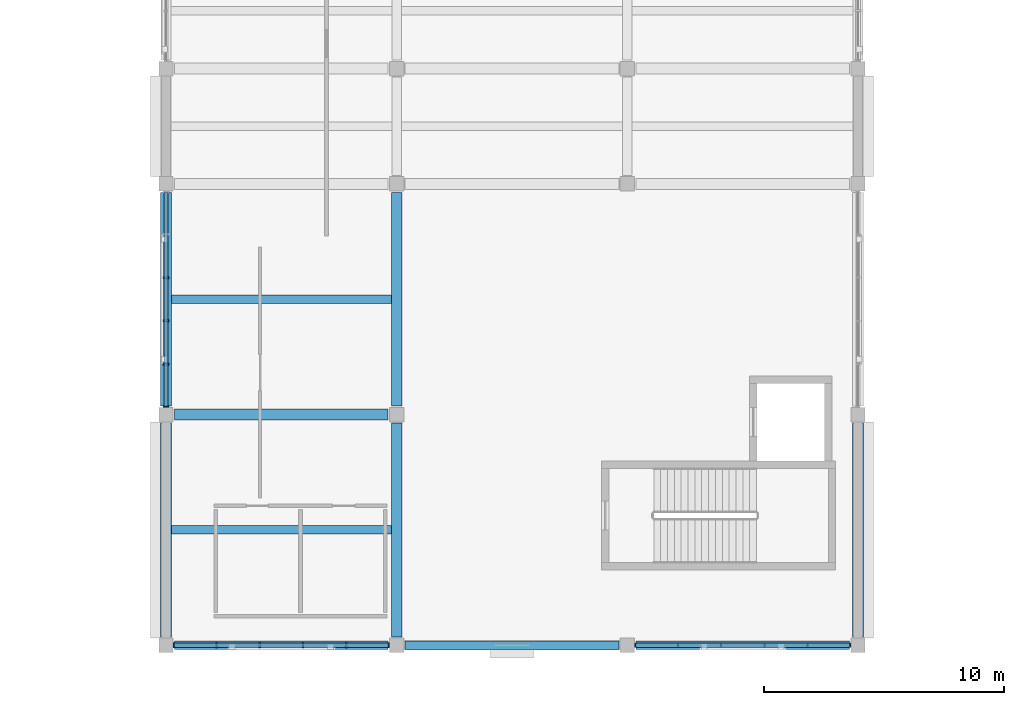
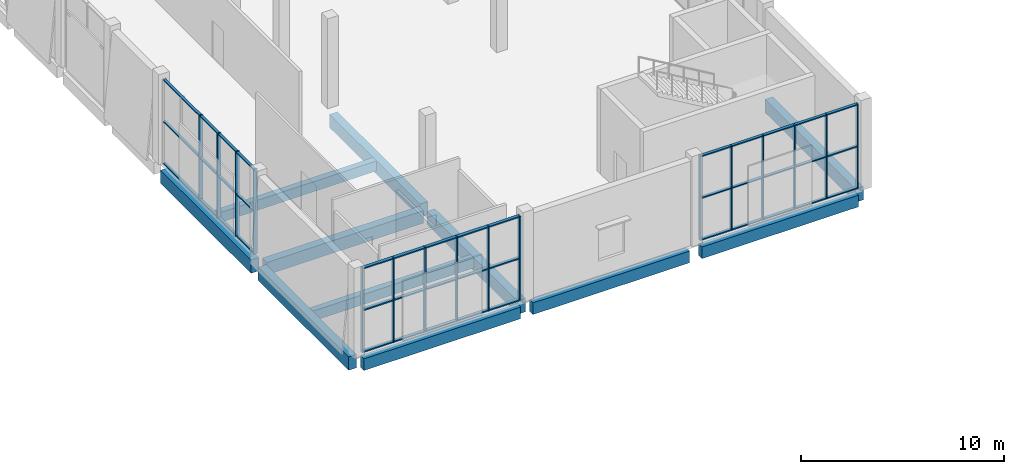
# One storey, part 15 of 83: 25 members, 11 beams, 3 elements without a shape of their own.
"""IFC4 building model written with IfcOpenShell, lengths in metres."""

from ifc_helpers import new_model, si_unit, direction, frame, origin, origin_2d, place, context, subcontext, project, spatial, rectangle, extrude, material, material_profile, profile_set, type_object, element, aggregate, save


model = new_model("IFC4")

# Units and contexts
model_context = context("Model", 3, precision=1e-05, world=origin(), true_north=direction((0.0, 1.0)))
body_context = subcontext(model_context, "Body", "Model", "MODEL_VIEW")
ifc_project = project(units=[si_unit("LENGTHUNIT", "METRE"), si_unit("AREAUNIT", "SQUARE_METRE"), si_unit("VOLUMEUNIT", "CUBIC_METRE"), si_unit("PLANEANGLEUNIT", "RADIAN"), si_unit("MASSUNIT", "GRAM", prefix="KILO")], contexts=[model_context])

# Site, building, storey
site_placement = place(None, origin())
site = spatial("IfcSite", under=ifc_project, at=site_placement, CompositionType="ELEMENT")
building_placement = place(site_placement, origin())
building = spatial("IfcBuilding", under=site, at=building_placement, Name="Shalvenor Court Art Gallery", CompositionType="ELEMENT")
storey_placement = place(building_placement, frame((0.0, 0.0, 6.0)))
storey = spatial("IfcBuildingStorey", under=building, at=storey_placement, Name="L01", CompositionType="ELEMENT", Elevation=6.0)

# Beams
ifc_material_1 = material(Name="Concrete C40/50", Category="concrete")
ifc_material_profile_1 = material_profile(ifc_material_1, rectangle(XDim=0.449951171875, YDim=0.800048828125, at=origin_2d()), Name="RC 450x800")
ifc_profile_set_1 = profile_set([ifc_material_profile_1], Name="Concrete C40/50")
beam_type_1 = type_object("IfcBeamType", Name="B-03", PredefinedType="BEAM", material=ifc_profile_set_1)
beam_1_placement = place(storey_placement, frame((96.0, 0.35009765625, -0.719970703125), z_axis=(0.0, 1.0, 0.0), x_axis=(-1.0, 0.0, 0.0)))
element("IfcBeam", 1, at=beam_1_placement, inside=storey, type_object=beam_type_1, Name="L01 Girder BM-L01-B-03-0422", PredefinedType="BEAM", context=body_context, shape_type="SweptSolid", body=[
    extrude(rectangle(XDim=0.449951171875, YDim=0.800048828125, at=origin_2d()), origin(), (0.0, 0.0, 1.0), 8.89990234375),
])
beam_2_placement = place(storey_placement, frame((96.0, 9.949951171875, -0.719970703125), z_axis=(0.0, 1.0, 0.0), x_axis=(-1.0, 0.0, 0.0)))
element("IfcBeam", 2, at=beam_2_placement, inside=storey, type_object=beam_type_1, Name="L01 Girder BM-L01-B-03-0423", PredefinedType="BEAM", context=body_context, shape_type="SweptSolid", body=[
    extrude(rectangle(XDim=0.449951171875, YDim=0.800048828125, at=origin_2d()), origin(), (0.0, 0.0, 1.0), 8.900146484375),
])
beam_3_placement = place(storey_placement, frame((105.60009765625, 0.35009765625, -0.719970703125), z_axis=(0.0, 1.0, 0.0), x_axis=(-1.0, 0.0, 0.0)))
element("IfcBeam", 3, at=beam_3_placement, inside=storey, type_object=beam_type_1, Name="L01 Girder BM-L01-B-03-0431", PredefinedType="BEAM", context=body_context, shape_type="SweptSolid", body=[
    extrude(rectangle(XDim=0.449951171875, YDim=0.800048828125, at=origin_2d()), origin(), (0.0, 0.0, 1.0), 8.89990234375),
])
beam_4_placement = place(storey_placement, frame((105.60009765625, 9.949951171875, -0.719970703125), z_axis=(0.0, 1.0, 0.0), x_axis=(-1.0, 0.0, 0.0)))
element("IfcBeam", 4, at=beam_4_placement, inside=storey, type_object=beam_type_1, Name="L01 Girder BM-L01-B-03-0432", PredefinedType="BEAM", context=body_context, shape_type="SweptSolid", body=[
    extrude(rectangle(XDim=0.449951171875, YDim=0.800048828125, at=origin_2d()), origin(), (0.0, 0.0, 1.0), 8.900146484375),
])
beam_5_placement = place(storey_placement, frame((124.800048828125, 0.35009765625, -0.719970703125), z_axis=(0.0, 1.0, 0.0), x_axis=(-1.0, 0.0, 0.0)))
element("IfcBeam", 5, at=beam_5_placement, inside=storey, type_object=beam_type_1, Name="L01 Girder BM-L01-B-03-0445", PredefinedType="BEAM", context=body_context, shape_type="SweptSolid", body=[
    extrude(rectangle(XDim=0.449951171875, YDim=0.800048828125, at=origin_2d()), origin(), (0.0, 0.0, 1.0), 8.89990234375),
])
ifc_material_2 = material(Name="Concrete C40/50", Category="concrete")
ifc_material_profile_2 = material_profile(ifc_material_2, rectangle(XDim=0.449951171875, YDim=0.75, at=origin_2d()), Name="RC 450x750")
ifc_profile_set_2 = profile_set([ifc_material_profile_2], Name="Concrete C40/50")
beam_type_2 = type_object("IfcBeamType", Name="B-04", PredefinedType="BEAM", material=ifc_profile_set_2)
beam_6_placement = place(storey_placement, frame((96.35009765625, 9.60009765625, -0.695068359375), z_axis=(1.0, 0.0, 0.0), x_axis=(0.0, 1.0, 0.0)))
element("IfcBeam", 6, at=beam_6_placement, inside=storey, type_object=beam_type_2, Name="L01 Girder BM-L01-B-04-0504", PredefinedType="BEAM", context=body_context, shape_type="SweptSolid", body=[
    extrude(rectangle(XDim=0.449951171875, YDim=0.75, at=origin_2d()), origin(), (0.0, 0.0, 1.0), 8.89990234375),
])

# Curtain wall, members
ifc_material_3 = material(Name="Anodised aluminium and low-iron glass curtain wall", Category="aluminium")
curtain_wall_type_1 = type_object("IfcCurtainWallType", Name="CW-5x2-90-51-122", PredefinedType="USERDEFINED", material=ifc_material_3)
curtain_wall_1_placement = place(storey_placement, origin())
curtain_wall_1 = element("IfcCurtainWall", 7, at=curtain_wall_1_placement, inside=storey, type_object=curtain_wall_type_1, Name="L01 V3 Curtain Wall CW-L01-100", ObjectType="CURTAIN WALL", PredefinedType="USERDEFINED")
ifc_material_4 = material(Name="Anodised aluminium mullion", Category="aluminium")
ifc_material_profile_3 = material_profile(ifc_material_4, rectangle(XDim=0.06494140625, YDim=0.179931640625, at=origin_2d()), Name="CWM-01")
ifc_profile_set_3 = profile_set([ifc_material_profile_3], Name="Anodised aluminium mullion")
member_type_1 = type_object("IfcMemberType", Name="CWM-01", PredefinedType="MULLION", material=ifc_profile_set_3)
member_1_placement = place(storey_placement, frame((124.467529296875, 0.0, 0.0), z_axis=(0.0, 0.0, 1.0), x_axis=(-1.0, 0.0, 0.0)))
member_1 = element("IfcMember", 8, at=member_1_placement, type_object=member_type_1, Name="CW-5x2-90-51-122 mullion 1", PredefinedType="MULLION", context=body_context, shape_type="SweptSolid", body=[
    extrude(rectangle(XDim=0.06494140625, YDim=0.179931640625, at=origin_2d()), origin(), (0.0, 0.0, 1.0), 5.080078125),
])
member_2_placement = place(storey_placement, frame((122.699951171875, 0.0, 0.0), z_axis=(0.0, 0.0, 1.0), x_axis=(-1.0, 0.0, 0.0)))
member_2 = element("IfcMember", 9, at=member_2_placement, type_object=member_type_1, Name="CW-5x2-90-51-122 mullion 2", PredefinedType="MULLION", context=body_context, shape_type="SweptSolid", body=[
    extrude(rectangle(XDim=0.06494140625, YDim=0.179931640625, at=origin_2d()), origin(), (0.0, 0.0, 1.0), 5.080078125),
])
member_3_placement = place(storey_placement, frame((120.89990234375, 0.0, 0.0), z_axis=(0.0, 0.0, 1.0), x_axis=(-1.0, 0.0, 0.0)))
member_3 = element("IfcMember", 10, at=member_3_placement, type_object=member_type_1, Name="CW-5x2-90-51-122 mullion 3", PredefinedType="MULLION", context=body_context, shape_type="SweptSolid", body=[
    extrude(rectangle(XDim=0.06494140625, YDim=0.179931640625, at=origin_2d()), origin(), (0.0, 0.0, 1.0), 5.080078125),
])
member_4_placement = place(storey_placement, frame((119.10009765625, 0.0, 0.0), z_axis=(0.0, 0.0, 1.0), x_axis=(-1.0, 0.0, 0.0)))
member_4 = element("IfcMember", 11, at=member_4_placement, type_object=member_type_1, Name="CW-5x2-90-51-122 mullion 4", PredefinedType="MULLION", context=body_context, shape_type="SweptSolid", body=[
    extrude(rectangle(XDim=0.06494140625, YDim=0.179931640625, at=origin_2d()), origin(), (0.0, 0.0, 1.0), 5.080078125),
])
member_5_placement = place(storey_placement, frame((117.300048828125, 0.0, 0.0), z_axis=(0.0, 0.0, 1.0), x_axis=(-1.0, 0.0, 0.0)))
member_5 = element("IfcMember", 12, at=member_5_placement, type_object=member_type_1, Name="CW-5x2-90-51-122 mullion 5", PredefinedType="MULLION", context=body_context, shape_type="SweptSolid", body=[
    extrude(rectangle(XDim=0.06494140625, YDim=0.179931640625, at=origin_2d()), origin(), (0.0, 0.0, 1.0), 5.080078125),
])
member_6_placement = place(storey_placement, frame((115.532470703125, 0.0, 0.0), z_axis=(0.0, 0.0, 1.0), x_axis=(-1.0, 0.0, 0.0)))
member_6 = element("IfcMember", 13, at=member_6_placement, type_object=member_type_1, Name="CW-5x2-90-51-122 mullion 6", PredefinedType="MULLION", context=body_context, shape_type="SweptSolid", body=[
    extrude(rectangle(XDim=0.06494140625, YDim=0.179931640625, at=origin_2d()), origin(), (0.0, 0.0, 1.0), 5.080078125),
])

ifc_material_5 = material(Name="Anodised aluminium and low-iron glass curtain wall", Category="aluminium")
curtain_wall_type_2 = type_object("IfcCurtainWallType", Name="CW-5x2-90-51-242", PredefinedType="USERDEFINED", material=ifc_material_5)
curtain_wall_2_placement = place(storey_placement, origin())
curtain_wall_2 = element("IfcCurtainWall", 14, at=curtain_wall_2_placement, inside=storey, type_object=curtain_wall_type_2, Name="L01 V3 Curtain Wall CW-L01-101", ObjectType="CURTAIN WALL", PredefinedType="USERDEFINED")
ifc_material_6 = material(Name="Anodised aluminium mullion", Category="aluminium")
ifc_material_profile_4 = material_profile(ifc_material_6, rectangle(XDim=0.070068359375, YDim=0.199951171875, at=origin_2d()), Name="CWM-02")
ifc_profile_set_4 = profile_set([ifc_material_profile_4], Name="Anodised aluminium mullion")
member_type_2 = type_object("IfcMemberType", Name="CWM-02", PredefinedType="MULLION", material=ifc_profile_set_4)
member_7_placement = place(storey_placement, frame((105.264892578125, 0.0, 0.0), z_axis=(0.0, 0.0, 1.0), x_axis=(-1.0, 0.0, 0.0)))
member_7 = element("IfcMember", 15, at=member_7_placement, type_object=member_type_2, Name="CW-5x2-90-51-242 mullion 1", PredefinedType="MULLION", context=body_context, shape_type="SweptSolid", body=[
    extrude(rectangle(XDim=0.070068359375, YDim=0.199951171875, at=origin_2d()), origin(), (0.0, 0.0, 1.0), 5.080078125),
])
member_8_placement = place(storey_placement, frame((103.5, 0.0, 0.0), z_axis=(0.0, 0.0, 1.0), x_axis=(-1.0, 0.0, 0.0)))
member_8 = element("IfcMember", 16, at=member_8_placement, type_object=member_type_2, Name="CW-5x2-90-51-242 mullion 2", PredefinedType="MULLION", context=body_context, shape_type="SweptSolid", body=[
    extrude(rectangle(XDim=0.070068359375, YDim=0.199951171875, at=origin_2d()), origin(), (0.0, 0.0, 1.0), 5.080078125),
])
member_9_placement = place(storey_placement, frame((101.699951171875, 0.0, 0.0), z_axis=(0.0, 0.0, 1.0), x_axis=(-1.0, 0.0, 0.0)))
member_9 = element("IfcMember", 17, at=member_9_placement, type_object=member_type_2, Name="CW-5x2-90-51-242 mullion 3", PredefinedType="MULLION", context=body_context, shape_type="SweptSolid", body=[
    extrude(rectangle(XDim=0.070068359375, YDim=0.199951171875, at=origin_2d()), origin(), (0.0, 0.0, 1.0), 5.080078125),
])
member_10_placement = place(storey_placement, frame((99.89990234375, 0.0, 0.0), z_axis=(0.0, 0.0, 1.0), x_axis=(-1.0, 0.0, 0.0)))
member_10 = element("IfcMember", 18, at=member_10_placement, type_object=member_type_2, Name="CW-5x2-90-51-242 mullion 4", PredefinedType="MULLION", context=body_context, shape_type="SweptSolid", body=[
    extrude(rectangle(XDim=0.070068359375, YDim=0.199951171875, at=origin_2d()), origin(), (0.0, 0.0, 1.0), 5.080078125),
])
member_11_placement = place(storey_placement, frame((98.10009765625, 0.0, 0.0), z_axis=(0.0, 0.0, 1.0), x_axis=(-1.0, 0.0, 0.0)))
member_11 = element("IfcMember", 19, at=member_11_placement, type_object=member_type_2, Name="CW-5x2-90-51-242 mullion 5", PredefinedType="MULLION", context=body_context, shape_type="SweptSolid", body=[
    extrude(rectangle(XDim=0.070068359375, YDim=0.199951171875, at=origin_2d()), origin(), (0.0, 0.0, 1.0), 5.080078125),
])
member_12_placement = place(storey_placement, frame((96.3349609375, 0.0, 0.0), z_axis=(0.0, 0.0, 1.0), x_axis=(-1.0, 0.0, 0.0)))
member_12 = element("IfcMember", 20, at=member_12_placement, type_object=member_type_2, Name="CW-5x2-90-51-242 mullion 6", PredefinedType="MULLION", context=body_context, shape_type="SweptSolid", body=[
    extrude(rectangle(XDim=0.070068359375, YDim=0.199951171875, at=origin_2d()), origin(), (0.0, 0.0, 1.0), 5.080078125),
])

ifc_material_7 = material(Name="Anodised aluminium and low-iron glass curtain wall", Category="aluminium")
curtain_wall_type_3 = type_object("IfcCurtainWallType", Name="CW-5x2-90-51-412", PredefinedType="USERDEFINED", material=ifc_material_7)
curtain_wall_3_placement = place(storey_placement, origin())
curtain_wall_3 = element("IfcCurtainWall", 21, at=curtain_wall_3_placement, inside=storey, type_object=curtain_wall_type_3, Name="L01 V3 Curtain Wall CW-L01-102", ObjectType="CURTAIN WALL", PredefinedType="USERDEFINED")
ifc_material_8 = material(Name="Anodised aluminium mullion", Category="aluminium")
ifc_material_profile_5 = material_profile(ifc_material_8, rectangle(XDim=0.074951171875, YDim=0.219970703125, at=origin_2d()), Name="CWM-04")
ifc_profile_set_5 = profile_set([ifc_material_profile_5], Name="Anodised aluminium mullion")
member_type_3 = type_object("IfcMemberType", Name="CWM-04", PredefinedType="MULLION", material=ifc_profile_set_5)
member_13_placement = place(storey_placement, frame((96.0, 9.9375, 0.0), z_axis=(0.0, 0.0, 1.0), x_axis=(0.0, 1.0, 0.0)))
member_13 = element("IfcMember", 22, at=member_13_placement, type_object=member_type_3, Name="CW-5x2-90-51-412 mullion 1", PredefinedType="MULLION", context=body_context, shape_type="SweptSolid", body=[
    extrude(rectangle(XDim=0.074951171875, YDim=0.219970703125, at=origin_2d()), origin(), (0.0, 0.0, 1.0), 5.080078125),
])
member_14_placement = place(storey_placement, frame((96.0, 11.699951171875, 0.0), z_axis=(0.0, 0.0, 1.0), x_axis=(0.0, 1.0, 0.0)))
member_14 = element("IfcMember", 23, at=member_14_placement, type_object=member_type_3, Name="CW-5x2-90-51-412 mullion 2", PredefinedType="MULLION", context=body_context, shape_type="SweptSolid", body=[
    extrude(rectangle(XDim=0.074951171875, YDim=0.219970703125, at=origin_2d()), origin(), (0.0, 0.0, 1.0), 5.080078125),
])
member_15_placement = place(storey_placement, frame((96.0, 13.5, 0.0), z_axis=(0.0, 0.0, 1.0), x_axis=(0.0, 1.0, 0.0)))
member_15 = element("IfcMember", 24, at=member_15_placement, type_object=member_type_3, Name="CW-5x2-90-51-412 mullion 3", PredefinedType="MULLION", context=body_context, shape_type="SweptSolid", body=[
    extrude(rectangle(XDim=0.074951171875, YDim=0.219970703125, at=origin_2d()), origin(), (0.0, 0.0, 1.0), 5.080078125),
])
member_16_placement = place(storey_placement, frame((96.0, 15.300048828125, 0.0), z_axis=(0.0, 0.0, 1.0), x_axis=(0.0, 1.0, 0.0)))
member_16 = element("IfcMember", 25, at=member_16_placement, type_object=member_type_3, Name="CW-5x2-90-51-412 mullion 4", PredefinedType="MULLION", context=body_context, shape_type="SweptSolid", body=[
    extrude(rectangle(XDim=0.074951171875, YDim=0.219970703125, at=origin_2d()), origin(), (0.0, 0.0, 1.0), 5.080078125),
])
ifc_material_9 = material(Name="Anodised aluminium transom", Category="aluminium")
ifc_material_profile_6 = material_profile(ifc_material_9, rectangle(XDim=0.14990234375, YDim=0.06005859375, at=origin_2d()), Name="CWT-01")
ifc_profile_set_6 = profile_set([ifc_material_profile_6], Name="Anodised aluminium transom")
member_type_4 = type_object("IfcMemberType", Name="CWT-01", PredefinedType="USERDEFINED", material=ifc_profile_set_6)
member_17_placement = place(storey_placement, frame((96.0, 9.9375, 0.030029296875), z_axis=(0.0, 1.0, 0.0), x_axis=(-1.0, 0.0, 0.0)))
member_17 = element("IfcMember", 26, at=member_17_placement, type_object=member_type_4, Name="CW-5x2-90-51-412 transom 1", ObjectType="TRANSOM", PredefinedType="USERDEFINED", context=body_context, shape_type="SweptSolid", body=[
    extrude(rectangle(XDim=0.14990234375, YDim=0.06005859375, at=origin_2d()), origin(), (0.0, 0.0, 1.0), 8.925048828125),
])
member_18_placement = place(storey_placement, frame((96.0, 9.9375, 2.5400390625), z_axis=(0.0, 1.0, 0.0), x_axis=(-1.0, 0.0, 0.0)))
member_18 = element("IfcMember", 27, at=member_18_placement, type_object=member_type_4, Name="CW-5x2-90-51-412 transom 2", ObjectType="TRANSOM", PredefinedType="USERDEFINED", context=body_context, shape_type="SweptSolid", body=[
    extrude(rectangle(XDim=0.14990234375, YDim=0.06005859375, at=origin_2d()), origin(), (0.0, 0.0, 1.0), 8.925048828125),
])
member_19_placement = place(storey_placement, frame((96.0, 9.9375, 5.050048828125), z_axis=(0.0, 1.0, 0.0), x_axis=(-1.0, 0.0, 0.0)))
member_19 = element("IfcMember", 28, at=member_19_placement, type_object=member_type_4, Name="CW-5x2-90-51-412 transom 3", ObjectType="TRANSOM", PredefinedType="USERDEFINED", context=body_context, shape_type="SweptSolid", body=[
    extrude(rectangle(XDim=0.14990234375, YDim=0.06005859375, at=origin_2d()), origin(), (0.0, 0.0, 1.0), 8.925048828125),
])
aggregate(curtain_wall_3, [member_13, member_14, member_15, member_16, member_17, member_18, member_19])

# Member
ifc_material_10 = material(Name="Anodised aluminium transom", Category="aluminium")
ifc_material_profile_7 = material_profile(ifc_material_10, rectangle(XDim=0.169921875, YDim=0.06494140625, at=origin_2d()), Name="CWT-02")
ifc_profile_set_7 = profile_set([ifc_material_profile_7], Name="Anodised aluminium transom")
member_type_5 = type_object("IfcMemberType", Name="CWT-02", PredefinedType="USERDEFINED", material=ifc_profile_set_7)
member_20_placement = place(storey_placement, frame((124.467529296875, 0.0, 0.032470703125), z_axis=(-1.0, 0.0, 0.0), x_axis=(0.0, -1.0, 0.0)))
member_20 = element("IfcMember", 29, at=member_20_placement, type_object=member_type_5, Name="CW-5x2-90-51-122 transom 1", ObjectType="TRANSOM", PredefinedType="USERDEFINED", context=body_context, shape_type="SweptSolid", body=[
    extrude(rectangle(XDim=0.169921875, YDim=0.06494140625, at=origin_2d()), origin(), (0.0, 0.0, 1.0), 8.93505859375),
])

member_21_placement = place(storey_placement, frame((124.467529296875, 0.0, 2.5400390625), z_axis=(-1.0, 0.0, 0.0), x_axis=(0.0, -1.0, 0.0)))
member_21 = element("IfcMember", 30, at=member_21_placement, type_object=member_type_5, Name="CW-5x2-90-51-122 transom 2", ObjectType="TRANSOM", PredefinedType="USERDEFINED", context=body_context, shape_type="SweptSolid", body=[
    extrude(rectangle(XDim=0.169921875, YDim=0.06494140625, at=origin_2d()), origin(), (0.0, 0.0, 1.0), 8.93505859375),
])

member_22_placement = place(storey_placement, frame((124.467529296875, 0.0, 5.047607421875), z_axis=(-1.0, 0.0, 0.0), x_axis=(0.0, -1.0, 0.0)))
member_22 = element("IfcMember", 31, at=member_22_placement, type_object=member_type_5, Name="CW-5x2-90-51-122 transom 3", ObjectType="TRANSOM", PredefinedType="USERDEFINED", context=body_context, shape_type="SweptSolid", body=[
    extrude(rectangle(XDim=0.169921875, YDim=0.06494140625, at=origin_2d()), origin(), (0.0, 0.0, 1.0), 8.93505859375),
])

aggregate(curtain_wall_1, [member_1, member_2, member_3, member_4, member_5, member_6, member_20, member_21, member_22])

ifc_material_11 = material(Name="Anodised aluminium transom", Category="aluminium")
ifc_material_profile_8 = material_profile(ifc_material_11, rectangle(XDim=0.18994140625, YDim=0.070068359375, at=origin_2d()), Name="CWT-04")
ifc_profile_set_8 = profile_set([ifc_material_profile_8], Name="Anodised aluminium transom")
member_type_6 = type_object("IfcMemberType", Name="CWT-04", PredefinedType="USERDEFINED", material=ifc_profile_set_8)
member_23_placement = place(storey_placement, frame((105.264892578125, 0.0, 0.034912109375), z_axis=(-1.0, 0.0, 0.0), x_axis=(0.0, -1.0, 0.0)))
member_23 = element("IfcMember", 32, at=member_23_placement, type_object=member_type_6, Name="CW-5x2-90-51-242 transom 1", ObjectType="TRANSOM", PredefinedType="USERDEFINED", context=body_context, shape_type="SweptSolid", body=[
    extrude(rectangle(XDim=0.18994140625, YDim=0.070068359375, at=origin_2d()), origin(), (0.0, 0.0, 1.0), 8.929931640625),
])

member_24_placement = place(storey_placement, frame((105.264892578125, 0.0, 2.5400390625), z_axis=(-1.0, 0.0, 0.0), x_axis=(0.0, -1.0, 0.0)))
member_24 = element("IfcMember", 33, at=member_24_placement, type_object=member_type_6, Name="CW-5x2-90-51-242 transom 2", ObjectType="TRANSOM", PredefinedType="USERDEFINED", context=body_context, shape_type="SweptSolid", body=[
    extrude(rectangle(XDim=0.18994140625, YDim=0.070068359375, at=origin_2d()), origin(), (0.0, 0.0, 1.0), 8.929931640625),
])

member_25_placement = place(storey_placement, frame((105.264892578125, 0.0, 5.044921875), z_axis=(-1.0, 0.0, 0.0), x_axis=(0.0, -1.0, 0.0)))
member_25 = element("IfcMember", 34, at=member_25_placement, type_object=member_type_6, Name="CW-5x2-90-51-242 transom 3", ObjectType="TRANSOM", PredefinedType="USERDEFINED", context=body_context, shape_type="SweptSolid", body=[
    extrude(rectangle(XDim=0.18994140625, YDim=0.070068359375, at=origin_2d()), origin(), (0.0, 0.0, 1.0), 8.929931640625),
])

aggregate(curtain_wall_2, [member_7, member_8, member_9, member_10, member_11, member_12, member_23, member_24, member_25])

# Beams
ifc_material_12 = material(Name="Concrete C40/50", Category="concrete")
ifc_material_profile_9 = material_profile(ifc_material_12, rectangle(XDim=0.35009765625, YDim=0.60009765625, at=origin_2d()), Name="RC 350x600")
ifc_profile_set_9 = profile_set([ifc_material_profile_9], Name="Concrete C40/50")
beam_type_3 = type_object("IfcBeamType", Name="J-01", PredefinedType="JOIST", material=ifc_profile_set_9)
for number, where, z_axis, x_axis, name in (
    (35, (96.22509765625, 4.800048828125, -0.6201171875), (1.0, 0.0, 0.0), (0.0, 1.0, 0.0), "L01 Secondary Beam JST-L01-J-01-0656"),
    (36, (96.22509765625, 14.39990234375, -0.6201171875), (1.0, 0.0, 0.0), (0.0, 1.0, 0.0), "L01 Secondary Beam JST-L01-J-01-0657"),
):
    element("IfcBeam", number, at=place(storey_placement, frame(where, z_axis=z_axis, x_axis=x_axis)), inside=storey, type_object=beam_type_3, Name=name, PredefinedType="JOIST", context=body_context, shape_type="SweptSolid", body=[
        extrude(rectangle(XDim=0.35009765625, YDim=0.60009765625, at=origin_2d()), origin(), (0.0, 0.0, 1.0), 9.14990234375),
    ])
ifc_material_13 = material(Name="Concrete C40/50", Category="concrete")
ifc_material_profile_10 = material_profile(ifc_material_13, rectangle(XDim=0.35009765625, YDim=0.699951171875, at=origin_2d()), Name="RC 350x700")
ifc_profile_set_10 = profile_set([ifc_material_profile_10], Name="Concrete C40/50")
beam_type_4 = type_object("IfcBeamType", Name="SP-01", PredefinedType="SPANDREL", material=ifc_profile_set_10)
beam_7_placement = place(storey_placement, frame((96.35009765625, 0.0, -0.669921875), z_axis=(1.0, 0.0, 0.0), x_axis=(0.0, 1.0, 0.0)))
element("IfcBeam", 37, at=beam_7_placement, inside=storey, type_object=beam_type_4, Name="L01 Spandrel Girder BM-L01-SP-01-0494", PredefinedType="SPANDREL", context=body_context, shape_type="SweptSolid", body=[
    extrude(rectangle(XDim=0.35009765625, YDim=0.699951171875, at=origin_2d()), origin(), (0.0, 0.0, 1.0), 8.89990234375),
])
beam_8_placement = place(storey_placement, frame((105.949951171875, 0.0, -0.669921875), z_axis=(1.0, 0.0, 0.0), x_axis=(0.0, 1.0, 0.0)))
element("IfcBeam", 38, at=beam_8_placement, inside=storey, type_object=beam_type_4, Name="L01 Spandrel Girder BM-L01-SP-01-0495", PredefinedType="SPANDREL", context=body_context, shape_type="SweptSolid", body=[
    extrude(rectangle(XDim=0.35009765625, YDim=0.699951171875, at=origin_2d()), origin(), (0.0, 0.0, 1.0), 8.900146484375),
])
beam_9_placement = place(storey_placement, frame((115.550048828125, 0.0, -0.669921875), z_axis=(1.0, 0.0, 0.0), x_axis=(0.0, 1.0, 0.0)))
element("IfcBeam", 39, at=beam_9_placement, inside=storey, type_object=beam_type_4, Name="L01 Spandrel Girder BM-L01-SP-01-0496", PredefinedType="SPANDREL", context=body_context, shape_type="SweptSolid", body=[
    extrude(rectangle(XDim=0.35009765625, YDim=0.699951171875, at=origin_2d()), origin(), (0.0, 0.0, 1.0), 8.89990234375),
])

save(model, "model.ifc")
